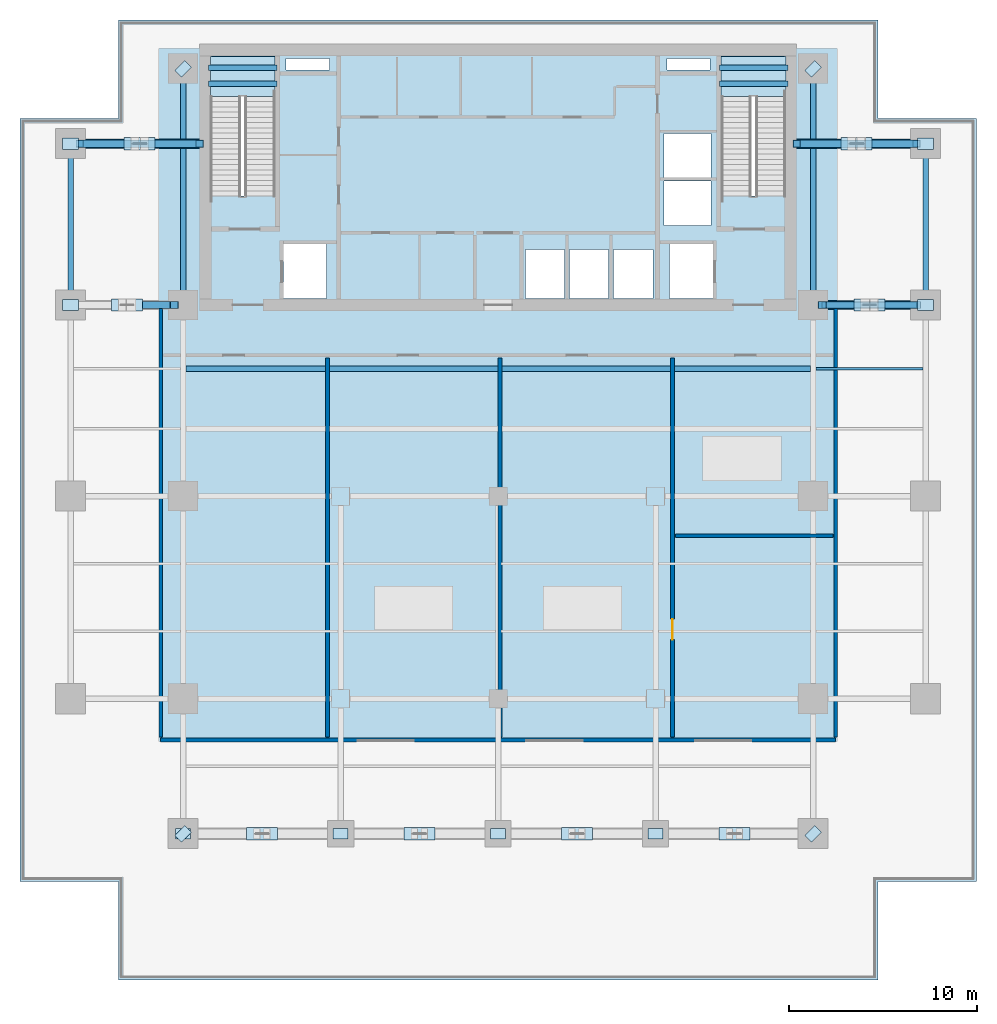
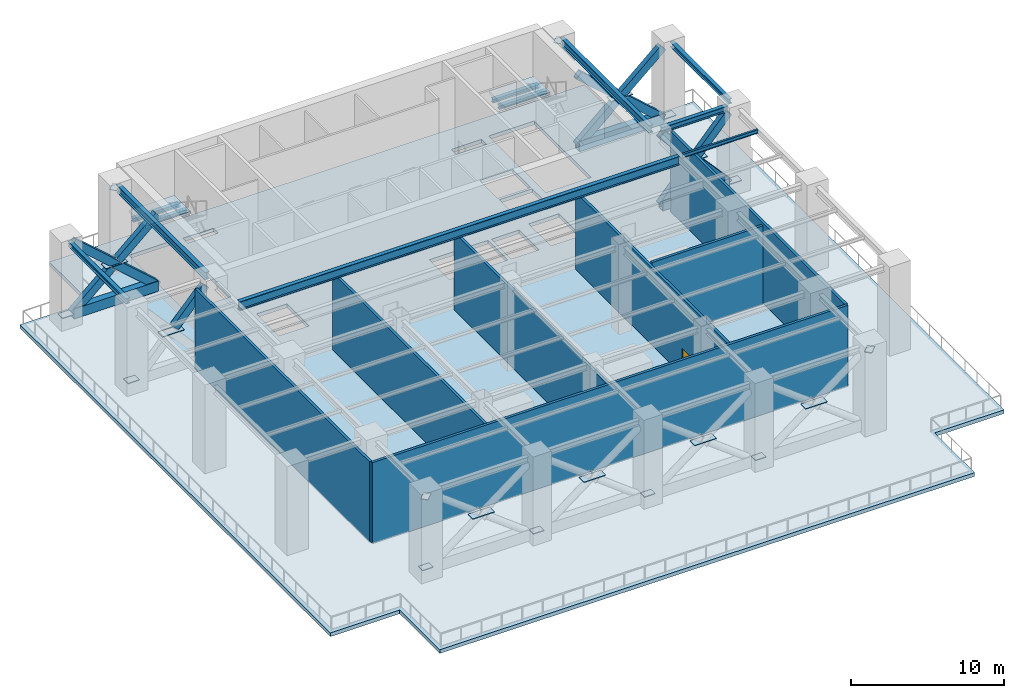
# One storey, part 2 of 9: 20 plates, 14 beams, 10 members, 7 walls, 3 slabs, 1 door, 1 opening, 2 elements without a shape of their own.
"""IFC4 building model written with IfcOpenShell, lengths in metres."""

from ifc_helpers import new_model, si_unit, direction, frame, frame_2d, origin, origin_2d, place, context, subcontext, project, spatial, polyline, rectangle, hollow_rectangle, i_section, outline, extrude, source, transform, mapped, material, layer, layer_set, material_profile, profile_set, type_object, element, fill, aggregate, save


model = new_model("IFC4")

# Units and contexts
model_context = context("Model", 3, precision=1e-05, world=origin(), true_north=direction((0.0, 1.0)))
body_context = subcontext(model_context, "Body", "Model", "MODEL_VIEW")
ifc_project = project(units=[si_unit("LENGTHUNIT", "METRE"), si_unit("AREAUNIT", "SQUARE_METRE"), si_unit("VOLUMEUNIT", "CUBIC_METRE"), si_unit("PLANEANGLEUNIT", "RADIAN"), si_unit("MASSUNIT", "GRAM", prefix="KILO")], contexts=[model_context])

# Site, building, storey
site_placement = place(None, origin())
site = spatial("IfcSite", under=ifc_project, at=site_placement, CompositionType="ELEMENT")
building_placement = place(site_placement, origin())
building = spatial("IfcBuilding", under=site, at=building_placement, Name="Sumidabori Civic Tower", CompositionType="ELEMENT")
storey_placement = place(building_placement, frame((0.0, 0.0, 124.39990234375)))
storey = spatial("IfcBuildingStorey", under=building, at=storey_placement, Name="L32", CompositionType="ELEMENT", Elevation=124.39990234375)

# Beams
ifc_material_1 = material(Name="Steel SN490", Category="steel")
ifc_material_profile_1 = material_profile(ifc_material_1, i_section(OverallWidth=0.300048828125, OverallDepth=0.300048828125, WebThickness=0.010986328125, FlangeThickness=0.01904296875, at=origin_2d()), Name="HE 300 B")
ifc_profile_set_1 = profile_set([ifc_material_profile_1], Name="Steel SN490")
beam_type_1 = type_object("IfcBeamType", Name="BM-LDG-300", PredefinedType="BEAM", material=ifc_profile_set_1)
shared_shape_1 = source(origin(), body_context, "Body", "SweptSolid", [
    extrude(i_section(OverallWidth=0.300048828125, OverallDepth=0.300048828125, WebThickness=0.010986328125, FlangeThickness=0.01904296875, at=origin_2d()), origin(), (0.0, 0.0, 1.0), 3.64990234375),
])
for number, where, z_axis, x_axis, name in (
    (1, (-15.449951171875, 22.001708984375, 3.25), (1.0, 0.0, 0.0), (0.0, 1.0, 0.0), "Stair ST-1 Landing Support Beam L32-1A"),
    (2, (-15.449951171875, 22.853515625, 3.25), (1.0, 0.0, 0.0), (0.0, 1.0, 0.0), "Stair ST-1 Landing Trimmer Beam L32-1B"),
    (3, (11.800048828125, 22.001708984375, 3.25), (1.0, 0.0, 0.0), (0.0, 1.0, 0.0), "Stair ST-2 Landing Support Beam L32-1A"),
    (4, (11.800048828125, 22.853515625, 3.25), (1.0, 0.0, 0.0), (0.0, 1.0, 0.0), "Stair ST-2 Landing Trimmer Beam L32-1B"),
):
    element("IfcBeam", number, at=place(storey_placement, frame(where, z_axis=z_axis, x_axis=x_axis)), inside=storey, type_object=beam_type_1, Name=name, PredefinedType="BEAM", context=body_context, shape_type="MappedRepresentation", body=[
        mapped(shared_shape_1, transform((0.0, 0.0, 0.0), x_axis=(1.0, 0.0, 0.0), y_axis=(0.0, 1.0, 0.0), z_axis=(0.0, 0.0, 1.0), scale=1.0)),
    ])
ifc_material_profile_2 = material_profile(ifc_material_1, i_section(OverallWidth=0.300048828125, OverallDepth=0.39990234375, WebThickness=0.013427734375, FlangeThickness=0.02392578125, at=origin_2d()), Name="HE 400 B")
ifc_profile_set_2 = profile_set([ifc_material_profile_2], Name="Steel SN490")
beam_type_2 = type_object("IfcBeamType", Name="BM-GIRD-400", PredefinedType="BEAM", material=ifc_profile_set_2)
shared_shape_2 = source(origin(), body_context, "Body", "SweptSolid", [
    extrude(i_section(OverallWidth=0.300048828125, OverallDepth=0.39990234375, WebThickness=0.013427734375, FlangeThickness=0.02392578125, at=origin_2d()), origin(), (0.0, 0.0, 1.0), 7.64013671875),
])
for number, where, z_axis, x_axis, name in (
    (5, (-22.800048828125, 10.679931640625, 6.7001953125), (0.0, 1.0, 0.0), (-1.0, 0.0, 0.0), "Primary Girder L32 GY-21"),
    (6, (22.800048828125, 10.679931640625, 6.7001953125), (0.0, 1.0, 0.0), (-1.0, 0.0, 0.0), "Primary Girder L32 GY-38"),
):
    element("IfcBeam", number, at=place(storey_placement, frame(where, z_axis=z_axis, x_axis=x_axis)), inside=storey, type_object=beam_type_2, Name=name, PredefinedType="BEAM", context=body_context, shape_type="MappedRepresentation", body=[
        mapped(shared_shape_2, transform((0.0, 0.0, 0.0), x_axis=(1.0, 0.0, 0.0), y_axis=(0.0, 1.0, 0.0), z_axis=(0.0, 0.0, 1.0), scale=1.0)),
    ])
ifc_material_profile_3 = material_profile(ifc_material_1, i_section(OverallWidth=0.300048828125, OverallDepth=0.60009765625, WebThickness=0.015380859375, FlangeThickness=0.030029296875, at=origin_2d()), Name="HE 600 B")
ifc_profile_set_3 = profile_set([ifc_material_profile_3], Name="Steel SN490")
beam_type_3 = type_object("IfcBeamType", Name="BM-GIRD-600", PredefinedType="BEAM", material=ifc_profile_set_3)
shared_shape_3 = source(origin(), body_context, "Body", "SweptSolid", [
    extrude(i_section(OverallWidth=0.300048828125, OverallDepth=0.60009765625, WebThickness=0.015380859375, FlangeThickness=0.030029296875, at=origin_2d()), origin(), (0.0, 0.0, 1.0), 11.64013671875),
])
for number, where, z_axis, x_axis, name in (
    (7, (-16.800048828125, 10.679931640625, 6.60009765625), (0.0, 1.0, 0.0), (-1.0, 0.0, 0.0), "Primary Girder L32 GY-25"),
    (8, (16.800048828125, 10.679931640625, 6.60009765625), (0.0, 1.0, 0.0), (-1.0, 0.0, 0.0), "Primary Girder L32 GY-35"),
):
    element("IfcBeam", number, at=place(storey_placement, frame(where, z_axis=z_axis, x_axis=x_axis)), inside=storey, type_object=beam_type_3, Name=name, PredefinedType="BEAM", context=body_context, shape_type="MappedRepresentation", body=[
        mapped(shared_shape_3, transform((0.0, 0.0, 0.0), x_axis=(1.0, 0.0, 0.0), y_axis=(0.0, 1.0, 0.0), z_axis=(0.0, 0.0, 1.0), scale=1.0)),
    ])
ifc_material_profile_4 = material_profile(ifc_material_1, i_section(OverallWidth=0.300048828125, OverallDepth=0.699951171875, WebThickness=0.01708984375, FlangeThickness=0.031982421875, at=origin_2d()), Name="HE 700 B")
ifc_profile_set_4 = profile_set([ifc_material_profile_4], Name="Steel SN490")
beam_type_4 = type_object("IfcBeamType", Name="BM-GIRD-700", PredefinedType="BEAM", material=ifc_profile_set_4)
shared_shape_4 = source(origin(), body_context, "Body", "SweptSolid", [
    extrude(i_section(OverallWidth=0.300048828125, OverallDepth=0.699951171875, WebThickness=0.01708984375, FlangeThickness=0.031982421875, at=origin_2d()), origin(), (0.0, 0.0, 1.0), 33.2998046875),
])
beam_1_placement = place(storey_placement, frame((-16.64990234375, 6.800048828125, 6.550048828125), z_axis=(1.0, 0.0, 0.0), x_axis=(0.0, 1.0, 0.0)))
element("IfcBeam", 9, at=beam_1_placement, inside=storey, type_object=beam_type_4, Name="North Bay Floor Beam L32 JSTN-48", PredefinedType="BEAM", context=body_context, shape_type="MappedRepresentation", body=[
    mapped(shared_shape_4, transform((0.0, 0.0, 0.0), x_axis=(1.0, 0.0, 0.0), y_axis=(0.0, 1.0, 0.0), z_axis=(0.0, 0.0, 1.0), scale=1.0)),
])
ifc_material_profile_5 = material_profile(ifc_material_1, i_section(OverallWidth=0.14990234375, OverallDepth=0.300048828125, WebThickness=0.007080078125, FlangeThickness=0.0107421875, at=origin_2d()), Name="IPE 300")
ifc_profile_set_5 = profile_set([ifc_material_profile_5], Name="Steel SN490")
beam_type_5 = type_object("IfcBeamType", Name="BM-JST-300", PredefinedType="JOIST", material=ifc_profile_set_5)
shared_shape_5 = source(origin(), body_context, "Body", "SweptSolid", [
    extrude(i_section(OverallWidth=0.14990234375, OverallDepth=0.300048828125, WebThickness=0.007080078125, FlangeThickness=0.0107421875, at=origin_2d()), origin(), (0.0, 0.0, 1.0), 5.699951171875),
])
beam_2_placement = place(storey_placement, frame((16.949951171875, 6.800048828125, 6.75), z_axis=(1.0, 0.0, 0.0), x_axis=(0.0, 1.0, 0.0)))
element("IfcBeam", 10, at=beam_2_placement, inside=storey, type_object=beam_type_5, Name="Outer Bay Floor Joist L32 JSTO-46", PredefinedType="JOIST", context=body_context, shape_type="MappedRepresentation", body=[
    mapped(shared_shape_5, transform((0.0, 0.0, 0.0), x_axis=(1.0, 0.0, 0.0), y_axis=(0.0, 1.0, 0.0), z_axis=(0.0, 0.0, 1.0), scale=1.0)),
])
ifc_material_profile_6 = material_profile(ifc_material_1, i_section(OverallWidth=0.300048828125, OverallDepth=0.449951171875, WebThickness=0.013916015625, FlangeThickness=0.02587890625, at=origin_2d()), Name="HE 450 B")
ifc_profile_set_6 = profile_set([ifc_material_profile_6], Name="Steel SN490")
beam_type_6 = type_object("IfcBeamType", Name="BM-GIRD-450", PredefinedType="BEAM", material=ifc_profile_set_6)
shared_shape_6 = source(origin(), body_context, "Body", "SweptSolid", [
    extrude(i_section(OverallWidth=0.300048828125, OverallDepth=0.449951171875, WebThickness=0.013916015625, FlangeThickness=0.02587890625, at=origin_2d()), origin(), (0.0, 0.0, 1.0), 5.0400390625),
])
beam_3_placement = place(storey_placement, frame((17.280029296875, 10.199951171875, 6.675048828125), z_axis=(1.0, 0.0, 0.0), x_axis=(0.0, 1.0, 0.0)))
element("IfcBeam", 11, at=beam_3_placement, inside=storey, type_object=beam_type_6, Name="Primary Girder L32 GX-18", PredefinedType="BEAM", context=body_context, shape_type="MappedRepresentation", body=[
    mapped(shared_shape_6, transform((0.0, 0.0, 0.0), x_axis=(1.0, 0.0, 0.0), y_axis=(0.0, 1.0, 0.0), z_axis=(0.0, 0.0, 1.0), scale=1.0)),
])
ifc_material_profile_7 = material_profile(ifc_material_1, hollow_rectangle(XDim=0.5, YDim=0.800048828125, WallThickness=0.031982421875, at=origin_2d()), Name="RHS 800x500x32")
ifc_profile_set_7 = profile_set([ifc_material_profile_7], Name="Steel SN490")
beam_type_7 = type_object("IfcBeamType", Name="BM-OUTR-CHORD", PredefinedType="BEAM", material=ifc_profile_set_7)
shared_shape_7 = source(origin(), body_context, "Body", "SweptSolid", [
    extrude(hollow_rectangle(XDim=0.5, YDim=0.800048828125, WallThickness=0.031982421875, at=origin_2d()), origin(), (0.0, 0.0, 1.0), 5.0400390625),
])
beam_4_placement = place(storey_placement, frame((17.280029296875, 10.199951171875, 0.7001953125), z_axis=(1.0, 0.0, 0.0), x_axis=(0.0, 1.0, 0.0)))
element("IfcBeam", 12, at=beam_4_placement, inside=storey, type_object=beam_type_7, Name="Outrigger Truss Chord L32 E1", PredefinedType="BEAM", context=body_context, shape_type="MappedRepresentation", body=[
    mapped(shared_shape_7, transform((0.0, 0.0, 0.0), x_axis=(1.0, 0.0, 0.0), y_axis=(0.0, 1.0, 0.0), z_axis=(0.0, 0.0, 1.0), scale=1.0)),
])

# Members
ifc_material_profile_8 = material_profile(ifc_material_1, hollow_rectangle(XDim=0.39990234375, YDim=0.60009765625, WallThickness=0.02490234375, at=origin_2d()), Name="RHS 600x400x25")
ifc_profile_set_8 = profile_set([ifc_material_profile_8], Name="Steel SN490")
member_type = type_object("IfcMemberType", Name="MB-OT-DIAG", PredefinedType="BRACE", material=ifc_profile_set_8)
shared_shape_8 = source(origin(), body_context, "Body", "SweptSolid", [
    extrude(hollow_rectangle(XDim=0.39990234375, YDim=0.60009765625, WallThickness=0.02490234375, at=origin_2d()), origin(), (0.0, 0.0, 1.0), 7.5712890625),
])
member_placement = place(storey_placement, frame((17.280029296875, 10.199951171875, 0.7001953125), z_axis=(0.665683769998, 0.0, 0.746233956854), x_axis=(0.0, 1.0, 0.0)))
element("IfcMember", 13, at=member_placement, inside=storey, type_object=member_type, Name="Outrigger Truss Diagonal L32 E1A", PredefinedType="BRACE", context=body_context, shape_type="MappedRepresentation", body=[
    mapped(shared_shape_8, transform((0.0, 0.0, 0.0), x_axis=(1.0, 0.0, 0.0), y_axis=(0.0, 1.0, 0.0), z_axis=(0.0, 0.0, 1.0), scale=1.0)),
])
shared_shape_9 = source(origin(), body_context, "Body", "SweptSolid", [
    extrude(hollow_rectangle(XDim=0.39990234375, YDim=0.60009765625, WallThickness=0.02490234375, at=origin_2d()), origin(), (0.0, 0.0, 1.0), 3.437255859375),
])
for number, where, z_axis, x_axis, name in (
    (14, (-17.280029296875, 10.199951171875, 6.35009765625), (-0.665685410802, 0.0, -0.746232493159), (0.0, -1.0, 0.0), "Outrigger Truss Diagonal L32 W1B Lower Segment"),
    (15, (17.280029296875, 10.199951171875, 6.35009765625), (0.665685410802, 0.0, -0.746232493159), (0.0, 1.0, 0.0), "Outrigger Truss Diagonal L32 E1B Lower Segment"),
    (16, (20.031982421875, 10.199951171875, 3.26513671875), (0.665685410802, 0.0, -0.746232493159), (0.0, 1.0, 0.0), "Outrigger Truss Diagonal L32 E1B Upper Segment"),
):
    element("IfcMember", number, at=place(storey_placement, frame(where, z_axis=z_axis, x_axis=x_axis)), inside=storey, type_object=member_type, Name=name, PredefinedType="BRACE", context=body_context, shape_type="MappedRepresentation", body=[
        mapped(shared_shape_9, transform((0.0, 0.0, 0.0), x_axis=(1.0, 0.0, 0.0), y_axis=(0.0, 1.0, 0.0), z_axis=(0.0, 0.0, 1.0), scale=1.0)),
    ])

# Beams
shared_shape_10 = source(origin(), body_context, "Body", "SweptSolid", [
    extrude(hollow_rectangle(XDim=0.5, YDim=0.800048828125, WallThickness=0.031982421875, at=origin_2d()), origin(), (0.0, 0.0, 1.0), 6.39501953125),
])
for number, where, z_axis, x_axis, name in (
    (17, (-15.925048828125, 18.800048828125, 0.7001953125), (-1.0, 0.0, 0.0), (0.0, -1.0, 0.0), "Outrigger Truss Chord L32 W2"),
    (18, (15.925048828125, 18.800048828125, 0.7001953125), (1.0, 0.0, 0.0), (0.0, 1.0, 0.0), "Outrigger Truss Chord L32 E2"),
):
    element("IfcBeam", number, at=place(storey_placement, frame(where, z_axis=z_axis, x_axis=x_axis)), inside=storey, type_object=beam_type_7, Name=name, PredefinedType="BEAM", context=body_context, shape_type="MappedRepresentation", body=[
        mapped(shared_shape_10, transform((0.0, 0.0, 0.0), x_axis=(1.0, 0.0, 0.0), y_axis=(0.0, 1.0, 0.0), z_axis=(0.0, 0.0, 1.0), scale=1.0)),
    ])

# Members
shared_shape_11 = source(origin(), body_context, "Body", "SweptSolid", [
    extrude(hollow_rectangle(XDim=0.39990234375, YDim=0.60009765625, WallThickness=0.02490234375, at=origin_2d()), origin(), (0.0, 0.0, 1.0), 8.533447265625),
])
for number, where, z_axis, x_axis, name in (
    (19, (-15.925048828125, 18.800048828125, 0.7001953125), (-0.749416899241, 0.0, 0.66209841499), (0.0, -1.0, 0.0), "Outrigger Truss Diagonal L32 W2A"),
    (20, (15.925048828125, 18.800048828125, 0.7001953125), (0.749416899241, 0.0, 0.66209841499), (0.0, 1.0, 0.0), "Outrigger Truss Diagonal L32 E2A"),
):
    element("IfcMember", number, at=place(storey_placement, frame(where, z_axis=z_axis, x_axis=x_axis)), inside=storey, type_object=member_type, Name=name, PredefinedType="BRACE", context=body_context, shape_type="MappedRepresentation", body=[
        mapped(shared_shape_11, transform((0.0, 0.0, 0.0), x_axis=(1.0, 0.0, 0.0), y_axis=(0.0, 1.0, 0.0), z_axis=(0.0, 0.0, 1.0), scale=1.0)),
    ])
shared_shape_12 = source(origin(), body_context, "Body", "SweptSolid", [
    extrude(hollow_rectangle(XDim=0.39990234375, YDim=0.60009765625, WallThickness=0.02490234375, at=origin_2d()), origin(), (0.0, 0.0, 1.0), 3.9150390625),
])
for number, where, z_axis, x_axis, name in (
    (21, (-15.925048828125, 18.800048828125, 6.35009765625), (-0.749380895254, 0.0, -0.662139165001), (0.0, -1.0, 0.0), "Outrigger Truss Diagonal L32 W2B Lower Segment"),
    (22, (-19.385986328125, 18.800048828125, 3.292236328125), (-0.749439175167, 0.0, -0.662073200428), (0.0, -1.0, 0.0), "Outrigger Truss Diagonal L32 W2B Upper Segment"),
    (23, (15.925048828125, 18.800048828125, 6.35009765625), (0.749380895254, 0.0, -0.662139165001), (0.0, 1.0, 0.0), "Outrigger Truss Diagonal L32 E2B Lower Segment"),
    (24, (19.385986328125, 18.800048828125, 3.292236328125), (0.749439175167, 0.0, -0.662073200428), (0.0, 1.0, 0.0), "Outrigger Truss Diagonal L32 E2B Upper Segment"),
):
    element("IfcMember", number, at=place(storey_placement, frame(where, z_axis=z_axis, x_axis=x_axis)), inside=storey, type_object=member_type, Name=name, PredefinedType="BRACE", context=body_context, shape_type="MappedRepresentation", body=[
        mapped(shared_shape_12, transform((0.0, 0.0, 0.0), x_axis=(1.0, 0.0, 0.0), y_axis=(0.0, 1.0, 0.0), z_axis=(0.0, 0.0, 1.0), scale=1.0)),
    ])

# Stair, slab
ifc_material_2 = material(Name="Concrete C40/50", Category="concrete")
stair_type = type_object("IfcStairType", Name="ST-CORE-1600", PredefinedType="HALF_TURN_STAIR", material=ifc_material_2)
stair_1_placement = place(storey_placement, origin())
stair_1 = element("IfcStair", 25, at=stair_1_placement, inside=storey, type_object=stair_type, Name="L32 ST-1", PredefinedType="HALF_TURN_STAIR")
ifc_layer_1 = layer(ifc_material_2, 0.199951171875, Name="Concrete C40/50")
ifc_layer_set_1 = layer_set([ifc_layer_1], Name="Concrete C40/50")
slab_type_1 = type_object("IfcSlabType", Name="SL-LAND-200", PredefinedType="LANDING", material=ifc_layer_set_1)
slab_1_placement = place(storey_placement, frame((0.0, 0.0, 3.400146484375)))
slab_1 = element("IfcSlab", 26, at=slab_1_placement, type_object=slab_type_1, Name="ST-1 landing 1", PredefinedType="LANDING", context=body_context, shape_type="SweptSolid", body=[
    extrude(outline(polyline([(-11.89990234375, 21.320068359375), (-11.89990234375, 23.449951171875), (-15.340087890625, 23.449951171875), (-15.340087890625, 21.320068359375), (-11.89990234375, 21.320068359375)])), origin(), (0.0, 0.0, 1.0), 0.199951171875),
])
aggregate(stair_1, [slab_1])

stair_2_placement = place(storey_placement, origin())
stair_2 = element("IfcStair", 27, at=stair_2_placement, inside=storey, type_object=stair_type, Name="L32 ST-2", PredefinedType="HALF_TURN_STAIR")
slab_2_placement = place(storey_placement, frame((0.0, 0.0, 3.400146484375)))
slab_2 = element("IfcSlab", 28, at=slab_2_placement, type_object=slab_type_1, Name="ST-2 landing 1", PredefinedType="LANDING", context=body_context, shape_type="SweptSolid", body=[
    extrude(outline(polyline([(15.340087890625, 21.320068359375), (15.340087890625, 23.449951171875), (11.89990234375, 23.449951171875), (11.89990234375, 21.320068359375), (15.340087890625, 21.320068359375)])), origin(), (0.0, 0.0, 1.0), 0.199951171875),
])
aggregate(stair_2, [slab_2])

# Slab
ifc_layer_2 = layer(ifc_material_2, 0.300048828125, Name="Concrete C40/50")
ifc_layer_set_2 = layer_set([ifc_layer_2], Name="Concrete C40/50")
slab_type_2 = type_object("IfcSlabType", Name="SL-PRT-300", PredefinedType="FLOOR", material=ifc_layer_set_2)
slab_3_placement = place(storey_placement, frame((0.0, 0.0, -0.2998046875)))
element("IfcSlab", 29, at=slab_3_placement, inside=storey, type_object=slab_type_2, Name="Wind-Slot Refuge and Plant Structural Slab L32", PredefinedType="FLOOR", context=body_context, shape_type="SweptSolid", body=[
    extrude(outline(polyline([(-20.25, -25.800048828125), (20.25, -25.800048828125), (20.25, -20.550048828125), (25.5, -20.550048828125), (25.5, 20.14990234375), (20.25, 20.14990234375), (20.25, 25.39990234375), (-20.25, 25.39990234375), (-20.25, 20.14990234375), (-25.5, 20.14990234375), (-25.5, -20.550048828125), (-20.25, -20.550048828125), (-20.25, -25.800048828125)]), holes=[polyline([(-11.89990234375, 16.0), (-11.89990234375, 23.449951171875), (-15.340087890625, 23.449951171875), (-15.340087890625, 16.0), (-11.89990234375, 16.0)]), polyline([(15.340087890625, 16.0), (15.340087890625, 23.449951171875), (11.89990234375, 23.449951171875), (11.89990234375, 16.0), (15.340087890625, 16.0)]), polyline([(-11.449951171875, 10.550048828125), (-9.14990234375, 10.550048828125), (-9.14990234375, 13.449951171875), (-11.449951171875, 13.449951171875), (-11.449951171875, 10.550048828125)]), polyline([(9.14990234375, 10.550048828125), (11.449951171875, 10.550048828125), (11.449951171875, 13.449951171875), (9.14990234375, 13.449951171875), (9.14990234375, 10.550048828125)]), polyline([(1.449951171875, 10.550048828125), (3.550048828125, 10.550048828125), (3.550048828125, 13.14990234375), (1.449951171875, 13.14990234375), (1.449951171875, 10.550048828125)]), polyline([(3.800048828125, 10.550048828125), (5.89990234375, 10.550048828125), (5.89990234375, 13.14990234375), (3.800048828125, 13.14990234375), (3.800048828125, 10.550048828125)]), polyline([(6.14990234375, 10.550048828125), (8.25, 10.550048828125), (8.25, 13.14990234375), (6.14990234375, 13.14990234375), (6.14990234375, 10.550048828125)]), polyline([(8.85009765625, 14.449951171875), (11.35009765625, 14.449951171875), (11.35009765625, 16.800048828125), (8.85009765625, 16.800048828125), (8.85009765625, 14.449951171875)]), polyline([(8.85009765625, 17.0), (11.35009765625, 17.0), (11.35009765625, 19.35009765625), (8.85009765625, 19.35009765625), (8.85009765625, 17.0)]), polyline([(-11.300048828125, 22.719970703125), (-9.0, 22.719970703125), (-9.0, 23.35009765625), (-11.300048828125, 23.35009765625), (-11.300048828125, 22.719970703125)]), polyline([(9.0, 22.719970703125), (11.300048828125, 22.719970703125), (11.300048828125, 23.35009765625), (9.0, 23.35009765625), (9.0, 22.719970703125)])]), origin(), (0.0, 0.0, 1.0), 0.2998046875),
])

# Plates
ifc_layer_3 = layer(ifc_material_1, 0.0400390625, Name="Steel SN490")
ifc_layer_set_3 = layer_set([ifc_layer_3], Name="Steel SN490")
plate_type_1 = type_object("IfcPlateType", Name="PL-NODE-XBR", PredefinedType="USERDEFINED", material=ifc_layer_set_3)
shared_shape_13 = source(origin(), body_context, "Body", "SweptSolid", [
    extrude(rectangle(XDim=1.64990234375, YDim=0.64990234375, at=origin_2d()), origin(), (0.0, 0.0, 1.0), 0.0400390625),
])
for number, where, z_axis, x_axis, name in (
    (30, (-12.60009765625, -18.0, 3.505126953125), (0.0, 0.0, 1.0), (1.0, 0.0, 0.0), "X-Brace Crossing Node Plate XND-BT-1"),
    (31, (-4.199951171875, -18.0, 3.505126953125), (0.0, 0.0, 1.0), (1.0, 0.0, 0.0), "X-Brace Crossing Node Plate XND-BT-2"),
    (32, (4.199951171875, -18.0, 3.505126953125), (0.0, 0.0, 1.0), (1.0, 0.0, 0.0), "X-Brace Crossing Node Plate XND-BT-3"),
    (33, (12.60009765625, -18.0, 3.505126953125), (0.0, 0.0, 1.0), (1.0, 0.0, 0.0), "X-Brace Crossing Node Plate XND-BT-4"),
    (34, (-19.800048828125, 10.199951171875, 3.505126953125), (0.0, 0.0, 1.0), (-1.0, 0.0, 0.0), "X-Brace Crossing Node Plate XND-OT-W1"),
    (35, (-19.12255859375, 18.800048828125, 3.505126953125), (0.0, 0.0, 1.0), (-1.0, 0.0, 0.0), "X-Brace Crossing Node Plate XND-OT-W2"),
    (36, (19.800048828125, 10.199951171875, 3.505126953125), (0.0, 0.0, 1.0), (1.0, 0.0, 0.0), "X-Brace Crossing Node Plate XND-OT-E1"),
    (37, (19.12255859375, 18.800048828125, 3.505126953125), (0.0, 0.0, 1.0), (1.0, 0.0, 0.0), "X-Brace Crossing Node Plate XND-OT-E2"),
):
    element("IfcPlate", number, at=place(storey_placement, frame(where, z_axis=z_axis, x_axis=x_axis)), inside=storey, type_object=plate_type_1, Name=name, ObjectType="GUSSET_PLATE", PredefinedType="USERDEFINED", context=body_context, shape_type="MappedRepresentation", body=[
        mapped(shared_shape_13, transform((0.0, 0.0, 0.0), x_axis=(1.0, 0.0, 0.0), y_axis=(0.0, 1.0, 0.0), z_axis=(0.0, 0.0, 1.0), scale=1.0)),
    ])
ifc_layer_4 = layer(ifc_material_1, 0.0400390625, Name="Steel SN490")
ifc_layer_set_4 = layer_set([ifc_layer_4], Name="Steel SN490")
plate_type_2 = type_object("IfcPlateType", Name="PL-NODE-BT", PredefinedType="USERDEFINED", material=ifc_layer_set_4)
shared_shape_14 = source(origin(), body_context, "Body", "SweptSolid", [
    extrude(rectangle(XDim=0.800048828125, YDim=0.550048828125, at=origin_2d()), origin(), (0.0, 0.0, 1.0), 0.0400390625),
])
for number, where, z_axis, x_axis, name in (
    (38, (-16.800048828125, -18.0, 0.68017578125), (0.0, 0.0, 1.0), (1.0, 0.0, 0.0), "Belt Truss Node Cap Plate L32"),
    (39, (-8.39990234375, -18.0, 0.68017578125), (0.0, 0.0, 1.0), (1.0, 0.0, 0.0), "Belt Truss Node Cap Plate L32"),
    (40, (0.0, -18.0, 0.68017578125), (0.0, 0.0, 1.0), (1.0, 0.0, 0.0), "Belt Truss Node Cap Plate L32"),
    (41, (8.39990234375, -18.0, 0.68017578125), (0.0, 0.0, 1.0), (1.0, 0.0, 0.0), "Belt Truss Node Cap Plate L32"),
):
    element("IfcPlate", number, at=place(storey_placement, frame(where, z_axis=z_axis, x_axis=x_axis)), inside=storey, type_object=plate_type_2, Name=name, ObjectType="GUSSET_PLATE", PredefinedType="USERDEFINED", context=body_context, shape_type="MappedRepresentation", body=[
        mapped(shared_shape_14, transform((0.0, 0.0, 0.0), x_axis=(1.0, 0.0, 0.0), y_axis=(0.0, 1.0, 0.0), z_axis=(0.0, 0.0, 1.0), scale=1.0)),
    ])
ifc_layer_5 = layer(ifc_material_1, 0.0400390625, Name="Steel SN490")
ifc_layer_set_5 = layer_set([ifc_layer_5], Name="Steel SN490")
plate_type_3 = type_object("IfcPlateType", Name="PL-NODE-OT", PredefinedType="USERDEFINED", material=ifc_layer_set_5)
shared_shape_15 = source(origin(), body_context, "Body", "SweptSolid", [
    extrude(rectangle(XDim=0.85009765625, YDim=0.60009765625, at=origin_2d()), origin(), (0.0, 0.0, 1.0), 0.0400390625),
])
for number, where, z_axis, x_axis, name in (
    (42, (-22.800048828125, 10.199951171875, 0.68017578125), (0.0, 0.0, 1.0), (1.0, 0.0, 0.0), "Outrigger Column Node Gusset L32"),
    (43, (-22.800048828125, 18.800048828125, 0.68017578125), (0.0, 0.0, 1.0), (1.0, 0.0, 0.0), "Outrigger Column Node Gusset L32"),
    (44, (22.800048828125, 10.199951171875, 0.68017578125), (0.0, 0.0, 1.0), (1.0, 0.0, 0.0), "Outrigger Column Node Gusset L32"),
    (45, (22.800048828125, 18.800048828125, 0.68017578125), (0.0, 0.0, 1.0), (1.0, 0.0, 0.0), "Outrigger Column Node Gusset L32"),
):
    element("IfcPlate", number, at=place(storey_placement, frame(where, z_axis=z_axis, x_axis=x_axis)), inside=storey, type_object=plate_type_3, Name=name, ObjectType="GUSSET_PLATE", PredefinedType="USERDEFINED", context=body_context, shape_type="MappedRepresentation", body=[
        mapped(shared_shape_15, transform((0.0, 0.0, 0.0), x_axis=(1.0, 0.0, 0.0), y_axis=(0.0, 1.0, 0.0), z_axis=(0.0, 0.0, 1.0), scale=1.0)),
    ])
ifc_layer_6 = layer(ifc_material_1, 0.035888671875, Name="Steel SN490")
ifc_layer_set_6 = layer_set([ifc_layer_6], Name="Steel SN490")
plate_type_4 = type_object("IfcPlateType", Name="PL-NODE-KN", PredefinedType="USERDEFINED", material=ifc_layer_set_6)
shared_shape_16 = source(origin(), body_context, "Body", "SweptSolid", [
    extrude(rectangle(XDim=0.75, YDim=0.5, at=origin_2d()), origin(), (0.0, 0.0, 1.0), 0.035888671875),
])
for number, where, z_axis, x_axis, name in (
    (46, (-16.800048828125, -18.0, 6.33203125), (0.0, 0.0, 1.0), (0.707106781187, 0.707106781187, 0.0), "Notched Corner Kink Node Plate L32-1"),
    (47, (16.800048828125, -18.0, 6.33203125), (0.0, 0.0, 1.0), (0.707106781187, 0.707106781187, 0.0), "Notched Corner Kink Node Plate L32-2"),
    (48, (-16.800048828125, 22.800048828125, 6.33203125), (0.0, 0.0, 1.0), (0.707106781187, 0.707106781187, 0.0), "Notched Corner Kink Node Plate L32-3"),
    (49, (16.800048828125, 22.800048828125, 6.33203125), (0.0, 0.0, 1.0), (0.707106781187, 0.707106781187, 0.0), "Notched Corner Kink Node Plate L32-4"),
):
    element("IfcPlate", number, at=place(storey_placement, frame(where, z_axis=z_axis, x_axis=x_axis)), inside=storey, type_object=plate_type_4, Name=name, ObjectType="GUSSET_PLATE", PredefinedType="USERDEFINED", context=body_context, shape_type="MappedRepresentation", body=[
        mapped(shared_shape_16, transform((0.0, 0.0, 0.0), x_axis=(1.0, 0.0, 0.0), y_axis=(0.0, 1.0, 0.0), z_axis=(0.0, 0.0, 1.0), scale=1.0)),
    ])

# Walls
ifc_material_3 = material(Name="Gypsum Plasterboard Fire Partition")
ifc_layer_7 = layer(ifc_material_3, 0.199951171875, Name="Gypsum Plasterboard Fire Partition")
ifc_layer_set_7 = layer_set([ifc_layer_7], Name="Gypsum Plasterboard Fire Partition")
wall_type = type_object("IfcWallType", Name="WL-PART-FIRE", PredefinedType="PARTITIONING", material=ifc_layer_set_7)
shared_shape_17 = source(origin(), body_context, "Body", "SweptSolid", [
    extrude(rectangle(XDim=36.0, YDim=0.199951171875, at=frame_2d((18.0, 0.0))), origin(), (0.0, 0.0, 1.0), 6.485107421875),
])
wall_1_placement = place(storey_placement, frame((-18.0, -13.0, 0.0), z_axis=(0.0, 0.0, 1.0), x_axis=(1.0, 0.0, 0.0)))
element("IfcWall", 50, at=wall_1_placement, inside=storey, type_object=wall_type, Name="Interior Partition WL:L32:PL-S", PredefinedType="PARTITIONING", context=body_context, shape_type="MappedRepresentation", body=[
    mapped(shared_shape_17, transform((0.0, 0.0, 0.0), x_axis=(1.0, 0.0, 0.0), y_axis=(0.0, 1.0, 0.0), z_axis=(0.0, 0.0, 1.0), scale=1.0)),
])
shared_shape_18 = source(origin(), body_context, "Body", "SweptSolid", [
    extrude(rectangle(XDim=20.22998046875, YDim=0.199951171875, at=frame_2d((10.114990234375, 0.0))), origin(), (0.0, 0.0, 1.0), 6.18505859375),
])
for number, where, z_axis, x_axis, name in (
    (51, (-9.10009765625, -12.85009765625, 0.0), (0.0, 0.0, 1.0), (0.0, 1.0, 0.0), "Interior Partition WL:L32:PDIV-1"),
    (52, (0.10009765625, -12.85009765625, 0.0), (0.0, 0.0, 1.0), (0.0, 1.0, 0.0), "Interior Partition WL:L32:PDIV-2"),
):
    element("IfcWall", number, at=place(storey_placement, frame(where, z_axis=z_axis, x_axis=x_axis)), inside=storey, type_object=wall_type, Name=name, PredefinedType="PARTITIONING", context=body_context, shape_type="MappedRepresentation", body=[
        mapped(shared_shape_18, transform((0.0, 0.0, 0.0), x_axis=(1.0, 0.0, 0.0), y_axis=(0.0, 1.0, 0.0), z_axis=(0.0, 0.0, 1.0), scale=1.0)),
    ])

# Wall, opening, door
wall_2_placement = place(storey_placement, frame((9.300048828125, -12.85009765625, 0.0), z_axis=(0.0, 0.0, 1.0), x_axis=(0.0, 1.0, 0.0)))
wall_2 = element("IfcWall", 53, at=wall_2_placement, inside=storey, type_object=wall_type, Name="Interior Partition WL:L32:PDIV-3", PredefinedType="PARTITIONING", context=body_context, shape_type="MappedRepresentation", body=[
    mapped(shared_shape_18, transform((0.0, 0.0, 0.0), x_axis=(1.0, 0.0, 0.0), y_axis=(0.0, 1.0, 0.0), z_axis=(0.0, 0.0, 1.0), scale=1.0)),
])
opening_placement = place(wall_2_placement, frame((5.199951171875, 0.0, 0.0)))
opening = element("IfcOpeningElement", 54, at=opening_placement, cuts=wall_2, Name="Opening DR-FD1", PredefinedType="OPENING", context=body_context, shape_type="SweptSolid", body=[
    extrude(rectangle(XDim=1.10009765625, YDim=2.14990234375, at=frame_2d((0.550048828125, 1.074951171875))), frame((0.0, 0.11181640625, 0.0), z_axis=(0.0, -1.0, 0.0), x_axis=(1.0, 0.0, 0.0)), (0.0, 0.0, 1.0), 0.223876953125),
])
door_type = type_object("IfcDoorType", Name="DR-FD1", OperationType="NOTDEFINED", PredefinedType="DOOR", material=ifc_material_1)
shared_shape_19 = source(origin(), body_context, "Body", "SweptSolid", [
    extrude(rectangle(XDim=1.10009765625, YDim=2.14990234375, at=frame_2d((0.550048828125, 1.074951171875))), frame((0.0, 0.02490234375, 0.0), z_axis=(0.0, -1.0, 0.0), x_axis=(1.0, 0.0, 0.0)), (0.0, 0.0, 1.0), 0.050048828125),
])
door_placement = place(opening_placement, origin())
door = element("IfcDoor", 55, at=door_placement, inside=storey, type_object=door_type, Name="Door DR:L32:PMP", OperationType="SINGLE_SWING_LEFT", OverallHeight=2.14990234375, OverallWidth=1.10009765625, PredefinedType="DOOR", context=body_context, shape_type="MappedRepresentation", body=[
    mapped(shared_shape_19, transform((0.0, 0.0, 0.0), x_axis=(1.0, 0.0, 0.0), y_axis=(0.0, 1.0, 0.0), z_axis=(0.0, 0.0, 1.0), scale=1.0)),
])
fill(opening, door)

# Walls
shared_shape_20 = source(origin(), body_context, "Body", "SweptSolid", [
    extrude(rectangle(XDim=8.400146484375, YDim=0.199951171875, at=frame_2d((4.2001953125, 0.0))), origin(), (0.0, 0.0, 1.0), 6.28515625),
])
wall_3_placement = place(storey_placement, frame((9.449951171875, -2.10009765625, 0.0), z_axis=(0.0, 0.0, 1.0), x_axis=(1.0, 0.0, 0.0)))
element("IfcWall", 56, at=wall_3_placement, inside=storey, type_object=wall_type, Name="Interior Partition WL:L32:PDIV-4", PredefinedType="PARTITIONING", context=body_context, shape_type="MappedRepresentation", body=[
    mapped(shared_shape_20, transform((0.0, 0.0, 0.0), x_axis=(1.0, 0.0, 0.0), y_axis=(0.0, 1.0, 0.0), z_axis=(0.0, 0.0, 1.0), scale=1.0)),
])
shared_shape_21 = source(origin(), body_context, "Body", "SweptSolid", [
    extrude(rectangle(XDim=22.85009765625, YDim=0.199951171875, at=frame_2d((11.425048828125, 0.0))), origin(), (0.0, 0.0, 1.0), 6.43505859375),
])
for number, where, z_axis, x_axis, name in (
    (57, (-18.0, -12.85009765625, 0.0), (0.0, 0.0, 1.0), (0.0, 1.0, 0.0), "Interior Partition WL:L32:PL-W"),
    (58, (18.0, -12.85009765625, 0.0), (0.0, 0.0, 1.0), (0.0, 1.0, 0.0), "Interior Partition WL:L32:PL-E"),
):
    element("IfcWall", number, at=place(storey_placement, frame(where, z_axis=z_axis, x_axis=x_axis)), inside=storey, type_object=wall_type, Name=name, PredefinedType="PARTITIONING", context=body_context, shape_type="MappedRepresentation", body=[
        mapped(shared_shape_21, transform((0.0, 0.0, 0.0), x_axis=(1.0, 0.0, 0.0), y_axis=(0.0, 1.0, 0.0), z_axis=(0.0, 0.0, 1.0), scale=1.0)),
    ])

save(model, "model.ifc")
